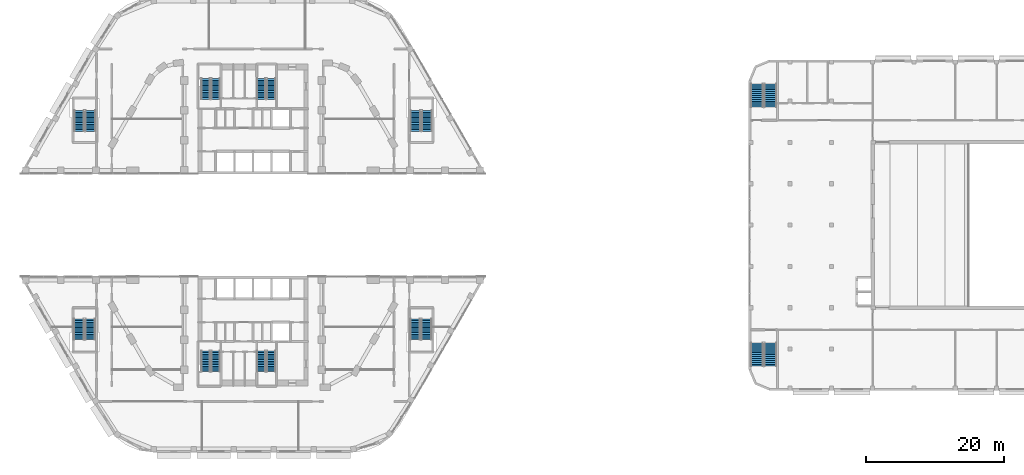
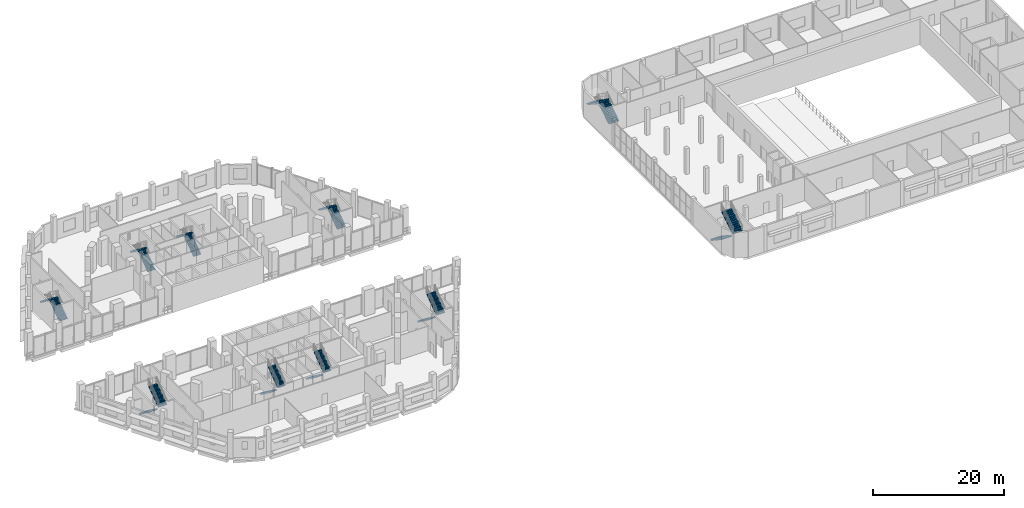
# One storey, part 26 of 45: 20 stair flights, 10 elements without a shape of their own.
"""IFC4 building model written with IfcOpenShell, lengths in metres."""

from ifc_helpers import new_model, si_unit, direction, frame, origin, place, context, subcontext, project, spatial, polyline, outline, extrude, material, type_object, element, aggregate, save


model = new_model("IFC4")

# Units and contexts
model_context = context("Model", 3, precision=1e-05, world=origin(), true_north=direction((0.0, 1.0)))
body_context = subcontext(model_context, "Body", "Model", "MODEL_VIEW")
ifc_project = project(units=[si_unit("LENGTHUNIT", "METRE"), si_unit("AREAUNIT", "SQUARE_METRE"), si_unit("VOLUMEUNIT", "CUBIC_METRE"), si_unit("PLANEANGLEUNIT", "RADIAN"), si_unit("MASSUNIT", "GRAM", prefix="KILO")], contexts=[model_context])

# Site, building, storey
site_placement = place(None, origin())
site = spatial("IfcSite", under=ifc_project, at=site_placement, CompositionType="ELEMENT")
building_placement = place(site_placement, origin())
building = spatial("IfcBuilding", under=site, at=building_placement, Name="Nakaniwa Court", CompositionType="ELEMENT")
storey_placement = place(building_placement, frame((0.0, 0.0, 6.60009765625)))
storey = spatial("IfcBuildingStorey", under=building, at=storey_placement, Name="L01", CompositionType="ELEMENT", Elevation=6.60009765625)

# Stair, stair flights
ifc_material_1 = material(Name="Concrete C40/50", Category="concrete")
stair_type_1 = type_object("IfcStairType", Name="Hall exit stair 26 risers", PredefinedType="HALF_TURN_STAIR", material=ifc_material_1)
stair_1_placement = place(storey_placement, origin())
stair_1 = element("IfcStair", 1, at=stair_1_placement, inside=storey, type_object=stair_type_1, Name="L01 Exit stair 1", PredefinedType="HALF_TURN_STAIR")
stair_flight_type_1 = type_object("IfcStairFlightType", Name="Hall stair flight 13 risers", PredefinedType="STRAIGHT", material=ifc_material_1)
stair_flight_1_placement = place(storey_placement, frame((153.199951171875, 62.860107421875, 0.0), z_axis=(0.0, 0.0, 1.0), x_axis=(0.0, -1.0, 0.0)))
stair_flight_1 = element("IfcStairFlight", 2, at=stair_flight_1_placement, type_object=stair_flight_type_1, Name="ST-H1 flight 1", NumberOfRisers=13, NumberOfTreads=12, PredefinedType="STRAIGHT", RiserHeight=0.184615385, TreadLength=0.28, context=body_context, shape_type="SweptSolid", body=[
    extrude(outline(polyline([(0.0, 0.0), (0.0, 0.0263671875), (0.0, 0.052734375), (0.0, 0.0791015625), (0.0, 0.10546875), (0.0, 0.1318359375), (0.0, 0.158203125), (0.0, 0.1845703125), (0.280029296875, 0.1845703125), (0.280029296875, 0.369140625), (0.56005859375, 0.369140625), (0.56005859375, 0.553955078125), (0.840087890625, 0.553955078125), (0.840087890625, 0.738525390625), (1.1201171875, 0.738525390625), (1.1201171875, 0.923095703125), (1.39990234375, 0.923095703125), (1.39990234375, 1.107666015625), (1.679931640625, 1.107666015625), (1.679931640625, 1.292236328125), (1.9599609375, 1.292236328125), (1.9599609375, 1.476806640625), (2.239990234375, 1.476806640625), (2.239990234375, 1.66162109375), (2.52001953125, 1.66162109375), (2.52001953125, 1.84619140625), (2.800048828125, 1.84619140625), (2.800048828125, 2.03076171875), (3.080078125, 2.03076171875), (3.080078125, 2.21533203125), (3.360107421875, 2.21533203125), (3.360107421875, 2.39990234375), (3.360107421875, 2.347900390625), (3.360107421875, 2.2958984375), (3.360107421875, 2.243896484375), (3.360107421875, 2.19189453125), (3.360107421875, 2.139892578125), (3.360107421875, 2.087890625), (3.360107421875, 2.035888671875), (0.272216796875, 0.0), (0.0, 0.0)])), frame((0.0, 0.89990234375, 0.0), z_axis=(0.0, -1.0, 0.0), x_axis=(1.0, 0.0, 0.0)), (0.0, 0.0, 1.0), 1.800048828125),
])
stair_flight_2_placement = place(storey_placement, frame((155.14990234375, 59.5, 2.39990234375), z_axis=(0.0, 0.0, 1.0), x_axis=(0.0, 1.0, 0.0)))
stair_flight_2 = element("IfcStairFlight", 3, at=stair_flight_2_placement, type_object=stair_flight_type_1, Name="ST-H1 flight 2", NumberOfRisers=13, NumberOfTreads=12, PredefinedType="STRAIGHT", RiserHeight=0.184615385, TreadLength=0.28, context=body_context, shape_type="SweptSolid", body=[
    extrude(outline(polyline([(0.0, 0.0), (0.0, 0.0263671875), (0.0, 0.052734375), (0.0, 0.0791015625), (0.0, 0.10546875), (0.0, 0.1318359375), (0.0, 0.158203125), (0.0, 0.1845703125), (0.280029296875, 0.1845703125), (0.280029296875, 0.369140625), (0.56005859375, 0.369140625), (0.56005859375, 0.553955078125), (0.840087890625, 0.553955078125), (0.840087890625, 0.738525390625), (1.1201171875, 0.738525390625), (1.1201171875, 0.923095703125), (1.39990234375, 0.923095703125), (1.39990234375, 1.107666015625), (1.679931640625, 1.107666015625), (1.679931640625, 1.292236328125), (1.9599609375, 1.292236328125), (1.9599609375, 1.476806640625), (2.239990234375, 1.476806640625), (2.239990234375, 1.66162109375), (2.52001953125, 1.66162109375), (2.52001953125, 1.84619140625), (2.800048828125, 1.84619140625), (2.800048828125, 2.03076171875), (3.080078125, 2.03076171875), (3.080078125, 2.21533203125), (3.360107421875, 2.21533203125), (3.360107421875, 2.39990234375), (3.360107421875, 2.347900390625), (3.360107421875, 2.2958984375), (3.360107421875, 2.243896484375), (3.360107421875, 2.19189453125), (3.360107421875, 2.139892578125), (3.360107421875, 2.087890625), (3.360107421875, 2.035888671875), (0.272216796875, 0.0), (0.0, 0.0)])), frame((0.0, 0.89990234375, 0.0), z_axis=(0.0, -1.0, 0.0), x_axis=(1.0, 0.0, 0.0)), (0.0, 0.0, 1.0), 1.800048828125),
])
aggregate(stair_1, [stair_flight_1, stair_flight_2])

stair_2_placement = place(storey_placement, origin())
stair_2 = element("IfcStair", 4, at=stair_2_placement, inside=storey, type_object=stair_type_1, Name="L01 Exit stair 2", PredefinedType="HALF_TURN_STAIR")
stair_flight_3_placement = place(storey_placement, frame((155.14990234375, 97.139892578125, 0.0), z_axis=(0.0, 0.0, 1.0), x_axis=(0.0, 1.0, 0.0)))
stair_flight_3 = element("IfcStairFlight", 5, at=stair_flight_3_placement, type_object=stair_flight_type_1, Name="ST-H2 flight 1", NumberOfRisers=13, NumberOfTreads=12, PredefinedType="STRAIGHT", RiserHeight=0.184615385, TreadLength=0.28, context=body_context, shape_type="SweptSolid", body=[
    extrude(outline(polyline([(0.0, 0.0), (0.0, 0.0263671875), (0.0, 0.052734375), (0.0, 0.0791015625), (0.0, 0.10546875), (0.0, 0.1318359375), (0.0, 0.158203125), (0.0, 0.1845703125), (0.280029296875, 0.1845703125), (0.280029296875, 0.369140625), (0.56005859375, 0.369140625), (0.56005859375, 0.553955078125), (0.840087890625, 0.553955078125), (0.840087890625, 0.738525390625), (1.1201171875, 0.738525390625), (1.1201171875, 0.923095703125), (1.39990234375, 0.923095703125), (1.39990234375, 1.107666015625), (1.679931640625, 1.107666015625), (1.679931640625, 1.292236328125), (1.9599609375, 1.292236328125), (1.9599609375, 1.476806640625), (2.239990234375, 1.476806640625), (2.239990234375, 1.66162109375), (2.52001953125, 1.66162109375), (2.52001953125, 1.84619140625), (2.800048828125, 1.84619140625), (2.800048828125, 2.03076171875), (3.080078125, 2.03076171875), (3.080078125, 2.21533203125), (3.360107421875, 2.21533203125), (3.360107421875, 2.39990234375), (3.360107421875, 2.347900390625), (3.360107421875, 2.2958984375), (3.360107421875, 2.243896484375), (3.360107421875, 2.19189453125), (3.360107421875, 2.139892578125), (3.360107421875, 2.087890625), (3.360107421875, 2.035888671875), (0.272216796875, 0.0), (0.0, 0.0)])), frame((0.0, 0.89990234375, 0.0), z_axis=(0.0, -1.0, 0.0), x_axis=(1.0, 0.0, 0.0)), (0.0, 0.0, 1.0), 1.800048828125),
])
stair_flight_4_placement = place(storey_placement, frame((153.199951171875, 100.5, 2.39990234375), z_axis=(0.0, 0.0, 1.0), x_axis=(0.0, -1.0, 0.0)))
stair_flight_4 = element("IfcStairFlight", 6, at=stair_flight_4_placement, type_object=stair_flight_type_1, Name="ST-H2 flight 2", NumberOfRisers=13, NumberOfTreads=12, PredefinedType="STRAIGHT", RiserHeight=0.184615385, TreadLength=0.28, context=body_context, shape_type="SweptSolid", body=[
    extrude(outline(polyline([(0.0, 0.0), (0.0, 0.0263671875), (0.0, 0.052734375), (0.0, 0.0791015625), (0.0, 0.10546875), (0.0, 0.1318359375), (0.0, 0.158203125), (0.0, 0.1845703125), (0.280029296875, 0.1845703125), (0.280029296875, 0.369140625), (0.56005859375, 0.369140625), (0.56005859375, 0.553955078125), (0.840087890625, 0.553955078125), (0.840087890625, 0.738525390625), (1.1201171875, 0.738525390625), (1.1201171875, 0.923095703125), (1.39990234375, 0.923095703125), (1.39990234375, 1.107666015625), (1.679931640625, 1.107666015625), (1.679931640625, 1.292236328125), (1.9599609375, 1.292236328125), (1.9599609375, 1.476806640625), (2.239990234375, 1.476806640625), (2.239990234375, 1.66162109375), (2.52001953125, 1.66162109375), (2.52001953125, 1.84619140625), (2.800048828125, 1.84619140625), (2.800048828125, 2.03076171875), (3.080078125, 2.03076171875), (3.080078125, 2.21533203125), (3.360107421875, 2.21533203125), (3.360107421875, 2.39990234375), (3.360107421875, 2.347900390625), (3.360107421875, 2.2958984375), (3.360107421875, 2.243896484375), (3.360107421875, 2.19189453125), (3.360107421875, 2.139892578125), (3.360107421875, 2.087890625), (3.360107421875, 2.035888671875), (0.272216796875, 0.0), (0.0, 0.0)])), frame((0.0, 0.89990234375, 0.0), z_axis=(0.0, -1.0, 0.0), x_axis=(1.0, 0.0, 0.0)), (0.0, 0.0, 1.0), 1.800048828125),
])
aggregate(stair_2, [stair_flight_3, stair_flight_4])

ifc_material_2 = material(Name="Concrete C80/100", Category="concrete")
stair_type_2 = type_object("IfcStairType", Name="Dog leg stair 1300 wide 26 risers", PredefinedType="HALF_TURN_STAIR", material=ifc_material_2)
stair_3_placement = place(storey_placement, origin())
stair_3 = element("IfcStair", 7, at=stair_3_placement, inside=storey, type_object=stair_type_2, Name="L01 Stair ST1", PredefinedType="HALF_TURN_STAIR")
stair_flight_type_2 = type_object("IfcStairFlightType", Name="Stair flight 1300 wide 13 risers", PredefinedType="STRAIGHT", material=ifc_material_2)
stair_flight_5_placement = place(storey_placement, frame((74.574951171875, 98.27490234375, 0.0), z_axis=(0.0, 0.0, 1.0), x_axis=(0.0, 1.0, 0.0)))
stair_flight_5 = element("IfcStairFlight", 8, at=stair_flight_5_placement, type_object=stair_flight_type_2, Name="ST1 flight 1", NumberOfRisers=13, NumberOfTreads=12, PredefinedType="STRAIGHT", RiserHeight=0.184615385, TreadLength=0.25, context=body_context, shape_type="SweptSolid", body=[
    extrude(outline(polyline([(0.0, 0.0), (0.0, 0.0263671875), (0.0, 0.052734375), (0.0, 0.0791015625), (0.0, 0.10546875), (0.0, 0.1318359375), (0.0, 0.158203125), (0.0, 0.1845703125), (0.25, 0.1845703125), (0.25, 0.369140625), (0.5, 0.369140625), (0.5, 0.553955078125), (0.75, 0.553955078125), (0.75, 0.738525390625), (1.0, 0.738525390625), (1.0, 0.923095703125), (1.25, 0.923095703125), (1.25, 1.107666015625), (1.5, 1.107666015625), (1.5, 1.292236328125), (1.75, 1.292236328125), (1.75, 1.476806640625), (2.0, 1.476806640625), (2.0, 1.66162109375), (2.25, 1.66162109375), (2.25, 1.84619140625), (2.5, 1.84619140625), (2.5, 2.03076171875), (2.75, 2.03076171875), (2.75, 2.21533203125), (3.0, 2.21533203125), (3.0, 2.39990234375), (3.0, 2.346923828125), (3.0, 2.2939453125), (3.0, 2.240966796875), (3.0, 2.18798828125), (3.0, 2.135009765625), (3.0, 2.08203125), (3.0, 2.029052734375), (0.25244140625, 0.0), (0.0, 0.0)])), frame((0.0, 0.64990234375, 0.0), z_axis=(0.0, -1.0, 0.0), x_axis=(1.0, 0.0, 0.0)), (0.0, 0.0, 1.0), 1.300048828125),
])
stair_flight_6_placement = place(storey_placement, frame((73.125, 101.27490234375, 2.39990234375), z_axis=(0.0, 0.0, 1.0), x_axis=(0.0, -1.0, 0.0)))
stair_flight_6 = element("IfcStairFlight", 9, at=stair_flight_6_placement, type_object=stair_flight_type_2, Name="ST1 flight 2", NumberOfRisers=13, NumberOfTreads=12, PredefinedType="STRAIGHT", RiserHeight=0.184615385, TreadLength=0.25, context=body_context, shape_type="SweptSolid", body=[
    extrude(outline(polyline([(0.0, 0.0), (0.0, 0.0263671875), (0.0, 0.052734375), (0.0, 0.0791015625), (0.0, 0.10546875), (0.0, 0.1318359375), (0.0, 0.158203125), (0.0, 0.1845703125), (0.25, 0.1845703125), (0.25, 0.369140625), (0.5, 0.369140625), (0.5, 0.553955078125), (0.75, 0.553955078125), (0.75, 0.738525390625), (1.0, 0.738525390625), (1.0, 0.923095703125), (1.25, 0.923095703125), (1.25, 1.107666015625), (1.5, 1.107666015625), (1.5, 1.292236328125), (1.75, 1.292236328125), (1.75, 1.476806640625), (2.0, 1.476806640625), (2.0, 1.66162109375), (2.25, 1.66162109375), (2.25, 1.84619140625), (2.5, 1.84619140625), (2.5, 2.03076171875), (2.75, 2.03076171875), (2.75, 2.21533203125), (3.0, 2.21533203125), (3.0, 2.39990234375), (3.0, 2.346923828125), (3.0, 2.2939453125), (3.0, 2.240966796875), (3.0, 2.18798828125), (3.0, 2.135009765625), (3.0, 2.08203125), (3.0, 2.029052734375), (0.25244140625, 0.0), (0.0, 0.0)])), frame((0.0, 0.64990234375, 0.0), z_axis=(0.0, -1.0, 0.0), x_axis=(1.0, 0.0, 0.0)), (0.0, 0.0, 1.0), 1.300048828125),
])
aggregate(stair_3, [stair_flight_5, stair_flight_6])

stair_4_placement = place(storey_placement, origin())
stair_4 = element("IfcStair", 10, at=stair_4_placement, inside=storey, type_object=stair_type_2, Name="L01 Stair ST2", PredefinedType="HALF_TURN_STAIR")
stair_flight_7_placement = place(storey_placement, frame((82.625, 98.27490234375, 0.0), z_axis=(0.0, 0.0, 1.0), x_axis=(0.0, 1.0, 0.0)))
stair_flight_7 = element("IfcStairFlight", 11, at=stair_flight_7_placement, type_object=stair_flight_type_2, Name="ST2 flight 1", NumberOfRisers=13, NumberOfTreads=12, PredefinedType="STRAIGHT", RiserHeight=0.184615385, TreadLength=0.25, context=body_context, shape_type="SweptSolid", body=[
    extrude(outline(polyline([(0.0, 0.0), (0.0, 0.0263671875), (0.0, 0.052734375), (0.0, 0.0791015625), (0.0, 0.10546875), (0.0, 0.1318359375), (0.0, 0.158203125), (0.0, 0.1845703125), (0.25, 0.1845703125), (0.25, 0.369140625), (0.5, 0.369140625), (0.5, 0.553955078125), (0.75, 0.553955078125), (0.75, 0.738525390625), (1.0, 0.738525390625), (1.0, 0.923095703125), (1.25, 0.923095703125), (1.25, 1.107666015625), (1.5, 1.107666015625), (1.5, 1.292236328125), (1.75, 1.292236328125), (1.75, 1.476806640625), (2.0, 1.476806640625), (2.0, 1.66162109375), (2.25, 1.66162109375), (2.25, 1.84619140625), (2.5, 1.84619140625), (2.5, 2.03076171875), (2.75, 2.03076171875), (2.75, 2.21533203125), (3.0, 2.21533203125), (3.0, 2.39990234375), (3.0, 2.346923828125), (3.0, 2.2939453125), (3.0, 2.240966796875), (3.0, 2.18798828125), (3.0, 2.135009765625), (3.0, 2.08203125), (3.0, 2.029052734375), (0.25244140625, 0.0), (0.0, 0.0)])), frame((0.0, 0.64990234375, 0.0), z_axis=(0.0, -1.0, 0.0), x_axis=(1.0, 0.0, 0.0)), (0.0, 0.0, 1.0), 1.300048828125),
])
stair_flight_8_placement = place(storey_placement, frame((81.175048828125, 101.27490234375, 2.39990234375), z_axis=(0.0, 0.0, 1.0), x_axis=(0.0, -1.0, 0.0)))
stair_flight_8 = element("IfcStairFlight", 12, at=stair_flight_8_placement, type_object=stair_flight_type_2, Name="ST2 flight 2", NumberOfRisers=13, NumberOfTreads=12, PredefinedType="STRAIGHT", RiserHeight=0.184615385, TreadLength=0.25, context=body_context, shape_type="SweptSolid", body=[
    extrude(outline(polyline([(0.0, 0.0), (0.0, 0.0263671875), (0.0, 0.052734375), (0.0, 0.0791015625), (0.0, 0.10546875), (0.0, 0.1318359375), (0.0, 0.158203125), (0.0, 0.1845703125), (0.25, 0.1845703125), (0.25, 0.369140625), (0.5, 0.369140625), (0.5, 0.553955078125), (0.75, 0.553955078125), (0.75, 0.738525390625), (1.0, 0.738525390625), (1.0, 0.923095703125), (1.25, 0.923095703125), (1.25, 1.107666015625), (1.5, 1.107666015625), (1.5, 1.292236328125), (1.75, 1.292236328125), (1.75, 1.476806640625), (2.0, 1.476806640625), (2.0, 1.66162109375), (2.25, 1.66162109375), (2.25, 1.84619140625), (2.5, 1.84619140625), (2.5, 2.03076171875), (2.75, 2.03076171875), (2.75, 2.21533203125), (3.0, 2.21533203125), (3.0, 2.39990234375), (3.0, 2.346923828125), (3.0, 2.2939453125), (3.0, 2.240966796875), (3.0, 2.18798828125), (3.0, 2.135009765625), (3.0, 2.08203125), (3.0, 2.029052734375), (0.25244140625, 0.0), (0.0, 0.0)])), frame((0.0, 0.64990234375, 0.0), z_axis=(0.0, -1.0, 0.0), x_axis=(1.0, 0.0, 0.0)), (0.0, 0.0, 1.0), 1.300048828125),
])
aggregate(stair_4, [stair_flight_7, stair_flight_8])

stair_5_placement = place(storey_placement, origin())
stair_5 = element("IfcStair", 13, at=stair_5_placement, inside=storey, type_object=stair_type_2, Name="L01 Stair ST3", PredefinedType="HALF_TURN_STAIR")
stair_flight_9_placement = place(storey_placement, frame((73.125, 61.72509765625, 0.0), z_axis=(0.0, 0.0, 1.0), x_axis=(0.0, -1.0, 0.0)))
stair_flight_9 = element("IfcStairFlight", 14, at=stair_flight_9_placement, type_object=stair_flight_type_2, Name="ST3 flight 1", NumberOfRisers=13, NumberOfTreads=12, PredefinedType="STRAIGHT", RiserHeight=0.184615385, TreadLength=0.25, context=body_context, shape_type="SweptSolid", body=[
    extrude(outline(polyline([(0.0, 0.0), (0.0, 0.0263671875), (0.0, 0.052734375), (0.0, 0.0791015625), (0.0, 0.10546875), (0.0, 0.1318359375), (0.0, 0.158203125), (0.0, 0.1845703125), (0.25, 0.1845703125), (0.25, 0.369140625), (0.5, 0.369140625), (0.5, 0.553955078125), (0.75, 0.553955078125), (0.75, 0.738525390625), (1.0, 0.738525390625), (1.0, 0.923095703125), (1.25, 0.923095703125), (1.25, 1.107666015625), (1.5, 1.107666015625), (1.5, 1.292236328125), (1.75, 1.292236328125), (1.75, 1.476806640625), (2.0, 1.476806640625), (2.0, 1.66162109375), (2.25, 1.66162109375), (2.25, 1.84619140625), (2.5, 1.84619140625), (2.5, 2.03076171875), (2.75, 2.03076171875), (2.75, 2.21533203125), (3.0, 2.21533203125), (3.0, 2.39990234375), (3.0, 2.346923828125), (3.0, 2.2939453125), (3.0, 2.240966796875), (3.0, 2.18798828125), (3.0, 2.135009765625), (3.0, 2.08203125), (3.0, 2.029052734375), (0.25244140625, 0.0), (0.0, 0.0)])), frame((0.0, 0.64990234375, 0.0), z_axis=(0.0, -1.0, 0.0), x_axis=(1.0, 0.0, 0.0)), (0.0, 0.0, 1.0), 1.300048828125),
])
stair_flight_10_placement = place(storey_placement, frame((74.574951171875, 58.72509765625, 2.39990234375), z_axis=(0.0, 0.0, 1.0), x_axis=(0.0, 1.0, 0.0)))
stair_flight_10 = element("IfcStairFlight", 15, at=stair_flight_10_placement, type_object=stair_flight_type_2, Name="ST3 flight 2", NumberOfRisers=13, NumberOfTreads=12, PredefinedType="STRAIGHT", RiserHeight=0.184615385, TreadLength=0.25, context=body_context, shape_type="SweptSolid", body=[
    extrude(outline(polyline([(0.0, 0.0), (0.0, 0.0263671875), (0.0, 0.052734375), (0.0, 0.0791015625), (0.0, 0.10546875), (0.0, 0.1318359375), (0.0, 0.158203125), (0.0, 0.1845703125), (0.25, 0.1845703125), (0.25, 0.369140625), (0.5, 0.369140625), (0.5, 0.553955078125), (0.75, 0.553955078125), (0.75, 0.738525390625), (1.0, 0.738525390625), (1.0, 0.923095703125), (1.25, 0.923095703125), (1.25, 1.107666015625), (1.5, 1.107666015625), (1.5, 1.292236328125), (1.75, 1.292236328125), (1.75, 1.476806640625), (2.0, 1.476806640625), (2.0, 1.66162109375), (2.25, 1.66162109375), (2.25, 1.84619140625), (2.5, 1.84619140625), (2.5, 2.03076171875), (2.75, 2.03076171875), (2.75, 2.21533203125), (3.0, 2.21533203125), (3.0, 2.39990234375), (3.0, 2.346923828125), (3.0, 2.2939453125), (3.0, 2.240966796875), (3.0, 2.18798828125), (3.0, 2.135009765625), (3.0, 2.08203125), (3.0, 2.029052734375), (0.25244140625, 0.0), (0.0, 0.0)])), frame((0.0, 0.64990234375, 0.0), z_axis=(0.0, -1.0, 0.0), x_axis=(1.0, 0.0, 0.0)), (0.0, 0.0, 1.0), 1.300048828125),
])
aggregate(stair_5, [stair_flight_9, stair_flight_10])

stair_6_placement = place(storey_placement, origin())
stair_6 = element("IfcStair", 16, at=stair_6_placement, inside=storey, type_object=stair_type_2, Name="L01 Stair ST4", PredefinedType="HALF_TURN_STAIR")
stair_flight_11_placement = place(storey_placement, frame((81.175048828125, 61.72509765625, 0.0), z_axis=(0.0, 0.0, 1.0), x_axis=(0.0, -1.0, 0.0)))
stair_flight_11 = element("IfcStairFlight", 17, at=stair_flight_11_placement, type_object=stair_flight_type_2, Name="ST4 flight 1", NumberOfRisers=13, NumberOfTreads=12, PredefinedType="STRAIGHT", RiserHeight=0.184615385, TreadLength=0.25, context=body_context, shape_type="SweptSolid", body=[
    extrude(outline(polyline([(0.0, 0.0), (0.0, 0.0263671875), (0.0, 0.052734375), (0.0, 0.0791015625), (0.0, 0.10546875), (0.0, 0.1318359375), (0.0, 0.158203125), (0.0, 0.1845703125), (0.25, 0.1845703125), (0.25, 0.369140625), (0.5, 0.369140625), (0.5, 0.553955078125), (0.75, 0.553955078125), (0.75, 0.738525390625), (1.0, 0.738525390625), (1.0, 0.923095703125), (1.25, 0.923095703125), (1.25, 1.107666015625), (1.5, 1.107666015625), (1.5, 1.292236328125), (1.75, 1.292236328125), (1.75, 1.476806640625), (2.0, 1.476806640625), (2.0, 1.66162109375), (2.25, 1.66162109375), (2.25, 1.84619140625), (2.5, 1.84619140625), (2.5, 2.03076171875), (2.75, 2.03076171875), (2.75, 2.21533203125), (3.0, 2.21533203125), (3.0, 2.39990234375), (3.0, 2.346923828125), (3.0, 2.2939453125), (3.0, 2.240966796875), (3.0, 2.18798828125), (3.0, 2.135009765625), (3.0, 2.08203125), (3.0, 2.029052734375), (0.25244140625, 0.0), (0.0, 0.0)])), frame((0.0, 0.64990234375, 0.0), z_axis=(0.0, -1.0, 0.0), x_axis=(1.0, 0.0, 0.0)), (0.0, 0.0, 1.0), 1.300048828125),
])
stair_flight_12_placement = place(storey_placement, frame((82.625, 58.72509765625, 2.39990234375), z_axis=(0.0, 0.0, 1.0), x_axis=(0.0, 1.0, 0.0)))
stair_flight_12 = element("IfcStairFlight", 18, at=stair_flight_12_placement, type_object=stair_flight_type_2, Name="ST4 flight 2", NumberOfRisers=13, NumberOfTreads=12, PredefinedType="STRAIGHT", RiserHeight=0.184615385, TreadLength=0.25, context=body_context, shape_type="SweptSolid", body=[
    extrude(outline(polyline([(0.0, 0.0), (0.0, 0.0263671875), (0.0, 0.052734375), (0.0, 0.0791015625), (0.0, 0.10546875), (0.0, 0.1318359375), (0.0, 0.158203125), (0.0, 0.1845703125), (0.25, 0.1845703125), (0.25, 0.369140625), (0.5, 0.369140625), (0.5, 0.553955078125), (0.75, 0.553955078125), (0.75, 0.738525390625), (1.0, 0.738525390625), (1.0, 0.923095703125), (1.25, 0.923095703125), (1.25, 1.107666015625), (1.5, 1.107666015625), (1.5, 1.292236328125), (1.75, 1.292236328125), (1.75, 1.476806640625), (2.0, 1.476806640625), (2.0, 1.66162109375), (2.25, 1.66162109375), (2.25, 1.84619140625), (2.5, 1.84619140625), (2.5, 2.03076171875), (2.75, 2.03076171875), (2.75, 2.21533203125), (3.0, 2.21533203125), (3.0, 2.39990234375), (3.0, 2.346923828125), (3.0, 2.2939453125), (3.0, 2.240966796875), (3.0, 2.18798828125), (3.0, 2.135009765625), (3.0, 2.08203125), (3.0, 2.029052734375), (0.25244140625, 0.0), (0.0, 0.0)])), frame((0.0, 0.64990234375, 0.0), z_axis=(0.0, -1.0, 0.0), x_axis=(1.0, 0.0, 0.0)), (0.0, 0.0, 1.0), 1.300048828125),
])
aggregate(stair_6, [stair_flight_11, stair_flight_12])

stair_type_3 = type_object("IfcStairType", Name="Dog leg stair 1500 wide 26 risers", PredefinedType="HALF_TURN_STAIR", material=ifc_material_2)
stair_7_placement = place(storey_placement, origin())
stair_7 = element("IfcStair", 19, at=stair_7_placement, inside=storey, type_object=stair_type_3, Name="L01 Stair SS1", PredefinedType="HALF_TURN_STAIR")
stair_flight_type_3 = type_object("IfcStairFlightType", Name="Stair flight 1500 wide 13 risers", PredefinedType="STRAIGHT", material=ifc_material_2)
stair_flight_13_placement = place(storey_placement, frame((105.27490234375, 93.625, 0.0), z_axis=(0.0, 0.0, 1.0), x_axis=(0.0, 1.0, 0.0)))
stair_flight_13 = element("IfcStairFlight", 20, at=stair_flight_13_placement, type_object=stair_flight_type_3, Name="SS1 flight 1", NumberOfRisers=13, NumberOfTreads=12, PredefinedType="STRAIGHT", RiserHeight=0.184615385, TreadLength=0.25, context=body_context, shape_type="SweptSolid", body=[
    extrude(outline(polyline([(0.0, 0.0), (0.0, 0.0263671875), (0.0, 0.052734375), (0.0, 0.0791015625), (0.0, 0.10546875), (0.0, 0.1318359375), (0.0, 0.158203125), (0.0, 0.1845703125), (0.25, 0.1845703125), (0.25, 0.369140625), (0.5, 0.369140625), (0.5, 0.553955078125), (0.75, 0.553955078125), (0.75, 0.738525390625), (1.0, 0.738525390625), (1.0, 0.923095703125), (1.25, 0.923095703125), (1.25, 1.107666015625), (1.5, 1.107666015625), (1.5, 1.292236328125), (1.75, 1.292236328125), (1.75, 1.476806640625), (2.0, 1.476806640625), (2.0, 1.66162109375), (2.25, 1.66162109375), (2.25, 1.84619140625), (2.5, 1.84619140625), (2.5, 2.03076171875), (2.75, 2.03076171875), (2.75, 2.21533203125), (3.0, 2.21533203125), (3.0, 2.39990234375), (3.0, 2.346923828125), (3.0, 2.2939453125), (3.0, 2.240966796875), (3.0, 2.18798828125), (3.0, 2.135009765625), (3.0, 2.08203125), (3.0, 2.029052734375), (0.25244140625, 0.0), (0.0, 0.0)])), frame((0.0, 0.75, 0.0), z_axis=(0.0, -1.0, 0.0), x_axis=(1.0, 0.0, 0.0)), (0.0, 0.0, 1.0), 1.5),
])
stair_flight_14_placement = place(storey_placement, frame((103.625, 96.625, 2.39990234375), z_axis=(0.0, 0.0, 1.0), x_axis=(0.0, -1.0, 0.0)))
stair_flight_14 = element("IfcStairFlight", 21, at=stair_flight_14_placement, type_object=stair_flight_type_3, Name="SS1 flight 2", NumberOfRisers=13, NumberOfTreads=12, PredefinedType="STRAIGHT", RiserHeight=0.184615385, TreadLength=0.25, context=body_context, shape_type="SweptSolid", body=[
    extrude(outline(polyline([(0.0, 0.0), (0.0, 0.0263671875), (0.0, 0.052734375), (0.0, 0.0791015625), (0.0, 0.10546875), (0.0, 0.1318359375), (0.0, 0.158203125), (0.0, 0.1845703125), (0.25, 0.1845703125), (0.25, 0.369140625), (0.5, 0.369140625), (0.5, 0.553955078125), (0.75, 0.553955078125), (0.75, 0.738525390625), (1.0, 0.738525390625), (1.0, 0.923095703125), (1.25, 0.923095703125), (1.25, 1.107666015625), (1.5, 1.107666015625), (1.5, 1.292236328125), (1.75, 1.292236328125), (1.75, 1.476806640625), (2.0, 1.476806640625), (2.0, 1.66162109375), (2.25, 1.66162109375), (2.25, 1.84619140625), (2.5, 1.84619140625), (2.5, 2.03076171875), (2.75, 2.03076171875), (2.75, 2.21533203125), (3.0, 2.21533203125), (3.0, 2.39990234375), (3.0, 2.346923828125), (3.0, 2.2939453125), (3.0, 2.240966796875), (3.0, 2.18798828125), (3.0, 2.135009765625), (3.0, 2.08203125), (3.0, 2.029052734375), (0.25244140625, 0.0), (0.0, 0.0)])), frame((0.0, 0.75, 0.0), z_axis=(0.0, -1.0, 0.0), x_axis=(1.0, 0.0, 0.0)), (0.0, 0.0, 1.0), 1.5),
])
aggregate(stair_7, [stair_flight_13, stair_flight_14])

stair_8_placement = place(storey_placement, origin())
stair_8 = element("IfcStair", 22, at=stair_8_placement, inside=storey, type_object=stair_type_3, Name="L01 Stair SS2", PredefinedType="HALF_TURN_STAIR")
stair_flight_15_placement = place(storey_placement, frame((56.425048828125, 93.625, 0.0), z_axis=(0.0, 0.0, 1.0), x_axis=(0.0, 1.0, 0.0)))
stair_flight_15 = element("IfcStairFlight", 23, at=stair_flight_15_placement, type_object=stair_flight_type_3, Name="SS2 flight 1", NumberOfRisers=13, NumberOfTreads=12, PredefinedType="STRAIGHT", RiserHeight=0.184615385, TreadLength=0.25, context=body_context, shape_type="SweptSolid", body=[
    extrude(outline(polyline([(0.0, 0.0), (0.0, 0.0263671875), (0.0, 0.052734375), (0.0, 0.0791015625), (0.0, 0.10546875), (0.0, 0.1318359375), (0.0, 0.158203125), (0.0, 0.1845703125), (0.25, 0.1845703125), (0.25, 0.369140625), (0.5, 0.369140625), (0.5, 0.553955078125), (0.75, 0.553955078125), (0.75, 0.738525390625), (1.0, 0.738525390625), (1.0, 0.923095703125), (1.25, 0.923095703125), (1.25, 1.107666015625), (1.5, 1.107666015625), (1.5, 1.292236328125), (1.75, 1.292236328125), (1.75, 1.476806640625), (2.0, 1.476806640625), (2.0, 1.66162109375), (2.25, 1.66162109375), (2.25, 1.84619140625), (2.5, 1.84619140625), (2.5, 2.03076171875), (2.75, 2.03076171875), (2.75, 2.21533203125), (3.0, 2.21533203125), (3.0, 2.39990234375), (3.0, 2.346923828125), (3.0, 2.2939453125), (3.0, 2.240966796875), (3.0, 2.18798828125), (3.0, 2.135009765625), (3.0, 2.08203125), (3.0, 2.029052734375), (0.25244140625, 0.0), (0.0, 0.0)])), frame((0.0, 0.75, 0.0), z_axis=(0.0, -1.0, 0.0), x_axis=(1.0, 0.0, 0.0)), (0.0, 0.0, 1.0), 1.5),
])
stair_flight_16_placement = place(storey_placement, frame((54.77490234375, 96.625, 2.39990234375), z_axis=(0.0, 0.0, 1.0), x_axis=(0.0, -1.0, 0.0)))
stair_flight_16 = element("IfcStairFlight", 24, at=stair_flight_16_placement, type_object=stair_flight_type_3, Name="SS2 flight 2", NumberOfRisers=13, NumberOfTreads=12, PredefinedType="STRAIGHT", RiserHeight=0.184615385, TreadLength=0.25, context=body_context, shape_type="SweptSolid", body=[
    extrude(outline(polyline([(0.0, 0.0), (0.0, 0.0263671875), (0.0, 0.052734375), (0.0, 0.0791015625), (0.0, 0.10546875), (0.0, 0.1318359375), (0.0, 0.158203125), (0.0, 0.1845703125), (0.25, 0.1845703125), (0.25, 0.369140625), (0.5, 0.369140625), (0.5, 0.553955078125), (0.75, 0.553955078125), (0.75, 0.738525390625), (1.0, 0.738525390625), (1.0, 0.923095703125), (1.25, 0.923095703125), (1.25, 1.107666015625), (1.5, 1.107666015625), (1.5, 1.292236328125), (1.75, 1.292236328125), (1.75, 1.476806640625), (2.0, 1.476806640625), (2.0, 1.66162109375), (2.25, 1.66162109375), (2.25, 1.84619140625), (2.5, 1.84619140625), (2.5, 2.03076171875), (2.75, 2.03076171875), (2.75, 2.21533203125), (3.0, 2.21533203125), (3.0, 2.39990234375), (3.0, 2.346923828125), (3.0, 2.2939453125), (3.0, 2.240966796875), (3.0, 2.18798828125), (3.0, 2.135009765625), (3.0, 2.08203125), (3.0, 2.029052734375), (0.25244140625, 0.0), (0.0, 0.0)])), frame((0.0, 0.75, 0.0), z_axis=(0.0, -1.0, 0.0), x_axis=(1.0, 0.0, 0.0)), (0.0, 0.0, 1.0), 1.5),
])
aggregate(stair_8, [stair_flight_15, stair_flight_16])

stair_9_placement = place(storey_placement, origin())
stair_9 = element("IfcStair", 25, at=stair_9_placement, inside=storey, type_object=stair_type_3, Name="L01 Stair SS3", PredefinedType="HALF_TURN_STAIR")
stair_flight_17_placement = place(storey_placement, frame((103.574951171875, 66.375, 0.0), z_axis=(0.0, 0.0, 1.0), x_axis=(0.0, -1.0, 0.0)))
stair_flight_17 = element("IfcStairFlight", 26, at=stair_flight_17_placement, type_object=stair_flight_type_3, Name="SS3 flight 1", NumberOfRisers=13, NumberOfTreads=12, PredefinedType="STRAIGHT", RiserHeight=0.184615385, TreadLength=0.25, context=body_context, shape_type="SweptSolid", body=[
    extrude(outline(polyline([(0.0, 0.0), (0.0, 0.0263671875), (0.0, 0.052734375), (0.0, 0.0791015625), (0.0, 0.10546875), (0.0, 0.1318359375), (0.0, 0.158203125), (0.0, 0.1845703125), (0.25, 0.1845703125), (0.25, 0.369140625), (0.5, 0.369140625), (0.5, 0.553955078125), (0.75, 0.553955078125), (0.75, 0.738525390625), (1.0, 0.738525390625), (1.0, 0.923095703125), (1.25, 0.923095703125), (1.25, 1.107666015625), (1.5, 1.107666015625), (1.5, 1.292236328125), (1.75, 1.292236328125), (1.75, 1.476806640625), (2.0, 1.476806640625), (2.0, 1.66162109375), (2.25, 1.66162109375), (2.25, 1.84619140625), (2.5, 1.84619140625), (2.5, 2.03076171875), (2.75, 2.03076171875), (2.75, 2.21533203125), (3.0, 2.21533203125), (3.0, 2.39990234375), (3.0, 2.346923828125), (3.0, 2.2939453125), (3.0, 2.240966796875), (3.0, 2.18798828125), (3.0, 2.135009765625), (3.0, 2.08203125), (3.0, 2.029052734375), (0.25244140625, 0.0), (0.0, 0.0)])), frame((0.0, 0.75, 0.0), z_axis=(0.0, -1.0, 0.0), x_axis=(1.0, 0.0, 0.0)), (0.0, 0.0, 1.0), 1.5),
])
stair_flight_18_placement = place(storey_placement, frame((105.22509765625, 63.375, 2.39990234375), z_axis=(0.0, 0.0, 1.0), x_axis=(0.0, 1.0, 0.0)))
stair_flight_18 = element("IfcStairFlight", 27, at=stair_flight_18_placement, type_object=stair_flight_type_3, Name="SS3 flight 2", NumberOfRisers=13, NumberOfTreads=12, PredefinedType="STRAIGHT", RiserHeight=0.184615385, TreadLength=0.25, context=body_context, shape_type="SweptSolid", body=[
    extrude(outline(polyline([(0.0, 0.0), (0.0, 0.0263671875), (0.0, 0.052734375), (0.0, 0.0791015625), (0.0, 0.10546875), (0.0, 0.1318359375), (0.0, 0.158203125), (0.0, 0.1845703125), (0.25, 0.1845703125), (0.25, 0.369140625), (0.5, 0.369140625), (0.5, 0.553955078125), (0.75, 0.553955078125), (0.75, 0.738525390625), (1.0, 0.738525390625), (1.0, 0.923095703125), (1.25, 0.923095703125), (1.25, 1.107666015625), (1.5, 1.107666015625), (1.5, 1.292236328125), (1.75, 1.292236328125), (1.75, 1.476806640625), (2.0, 1.476806640625), (2.0, 1.66162109375), (2.25, 1.66162109375), (2.25, 1.84619140625), (2.5, 1.84619140625), (2.5, 2.03076171875), (2.75, 2.03076171875), (2.75, 2.21533203125), (3.0, 2.21533203125), (3.0, 2.39990234375), (3.0, 2.346923828125), (3.0, 2.2939453125), (3.0, 2.240966796875), (3.0, 2.18798828125), (3.0, 2.135009765625), (3.0, 2.08203125), (3.0, 2.029052734375), (0.25244140625, 0.0), (0.0, 0.0)])), frame((0.0, 0.75, 0.0), z_axis=(0.0, -1.0, 0.0), x_axis=(1.0, 0.0, 0.0)), (0.0, 0.0, 1.0), 1.5),
])
aggregate(stair_9, [stair_flight_17, stair_flight_18])

stair_10_placement = place(storey_placement, origin())
stair_10 = element("IfcStair", 28, at=stair_10_placement, inside=storey, type_object=stair_type_3, Name="L01 Stair SS4", PredefinedType="HALF_TURN_STAIR")
stair_flight_19_placement = place(storey_placement, frame((54.72509765625, 66.375, 0.0), z_axis=(0.0, 0.0, 1.0), x_axis=(0.0, -1.0, 0.0)))
stair_flight_19 = element("IfcStairFlight", 29, at=stair_flight_19_placement, type_object=stair_flight_type_3, Name="SS4 flight 1", NumberOfRisers=13, NumberOfTreads=12, PredefinedType="STRAIGHT", RiserHeight=0.184615385, TreadLength=0.25, context=body_context, shape_type="SweptSolid", body=[
    extrude(outline(polyline([(0.0, 0.0), (0.0, 0.0263671875), (0.0, 0.052734375), (0.0, 0.0791015625), (0.0, 0.10546875), (0.0, 0.1318359375), (0.0, 0.158203125), (0.0, 0.1845703125), (0.25, 0.1845703125), (0.25, 0.369140625), (0.5, 0.369140625), (0.5, 0.553955078125), (0.75, 0.553955078125), (0.75, 0.738525390625), (1.0, 0.738525390625), (1.0, 0.923095703125), (1.25, 0.923095703125), (1.25, 1.107666015625), (1.5, 1.107666015625), (1.5, 1.292236328125), (1.75, 1.292236328125), (1.75, 1.476806640625), (2.0, 1.476806640625), (2.0, 1.66162109375), (2.25, 1.66162109375), (2.25, 1.84619140625), (2.5, 1.84619140625), (2.5, 2.03076171875), (2.75, 2.03076171875), (2.75, 2.21533203125), (3.0, 2.21533203125), (3.0, 2.39990234375), (3.0, 2.346923828125), (3.0, 2.2939453125), (3.0, 2.240966796875), (3.0, 2.18798828125), (3.0, 2.135009765625), (3.0, 2.08203125), (3.0, 2.029052734375), (0.25244140625, 0.0), (0.0, 0.0)])), frame((0.0, 0.75, 0.0), z_axis=(0.0, -1.0, 0.0), x_axis=(1.0, 0.0, 0.0)), (0.0, 0.0, 1.0), 1.5),
])
stair_flight_20_placement = place(storey_placement, frame((56.375, 63.375, 2.39990234375), z_axis=(0.0, 0.0, 1.0), x_axis=(0.0, 1.0, 0.0)))
stair_flight_20 = element("IfcStairFlight", 30, at=stair_flight_20_placement, type_object=stair_flight_type_3, Name="SS4 flight 2", NumberOfRisers=13, NumberOfTreads=12, PredefinedType="STRAIGHT", RiserHeight=0.184615385, TreadLength=0.25, context=body_context, shape_type="SweptSolid", body=[
    extrude(outline(polyline([(0.0, 0.0), (0.0, 0.0263671875), (0.0, 0.052734375), (0.0, 0.0791015625), (0.0, 0.10546875), (0.0, 0.1318359375), (0.0, 0.158203125), (0.0, 0.1845703125), (0.25, 0.1845703125), (0.25, 0.369140625), (0.5, 0.369140625), (0.5, 0.553955078125), (0.75, 0.553955078125), (0.75, 0.738525390625), (1.0, 0.738525390625), (1.0, 0.923095703125), (1.25, 0.923095703125), (1.25, 1.107666015625), (1.5, 1.107666015625), (1.5, 1.292236328125), (1.75, 1.292236328125), (1.75, 1.476806640625), (2.0, 1.476806640625), (2.0, 1.66162109375), (2.25, 1.66162109375), (2.25, 1.84619140625), (2.5, 1.84619140625), (2.5, 2.03076171875), (2.75, 2.03076171875), (2.75, 2.21533203125), (3.0, 2.21533203125), (3.0, 2.39990234375), (3.0, 2.346923828125), (3.0, 2.2939453125), (3.0, 2.240966796875), (3.0, 2.18798828125), (3.0, 2.135009765625), (3.0, 2.08203125), (3.0, 2.029052734375), (0.25244140625, 0.0), (0.0, 0.0)])), frame((0.0, 0.75, 0.0), z_axis=(0.0, -1.0, 0.0), x_axis=(1.0, 0.0, 0.0)), (0.0, 0.0, 1.0), 1.5),
])
aggregate(stair_10, [stair_flight_19, stair_flight_20])

save(model, "model.ifc")
